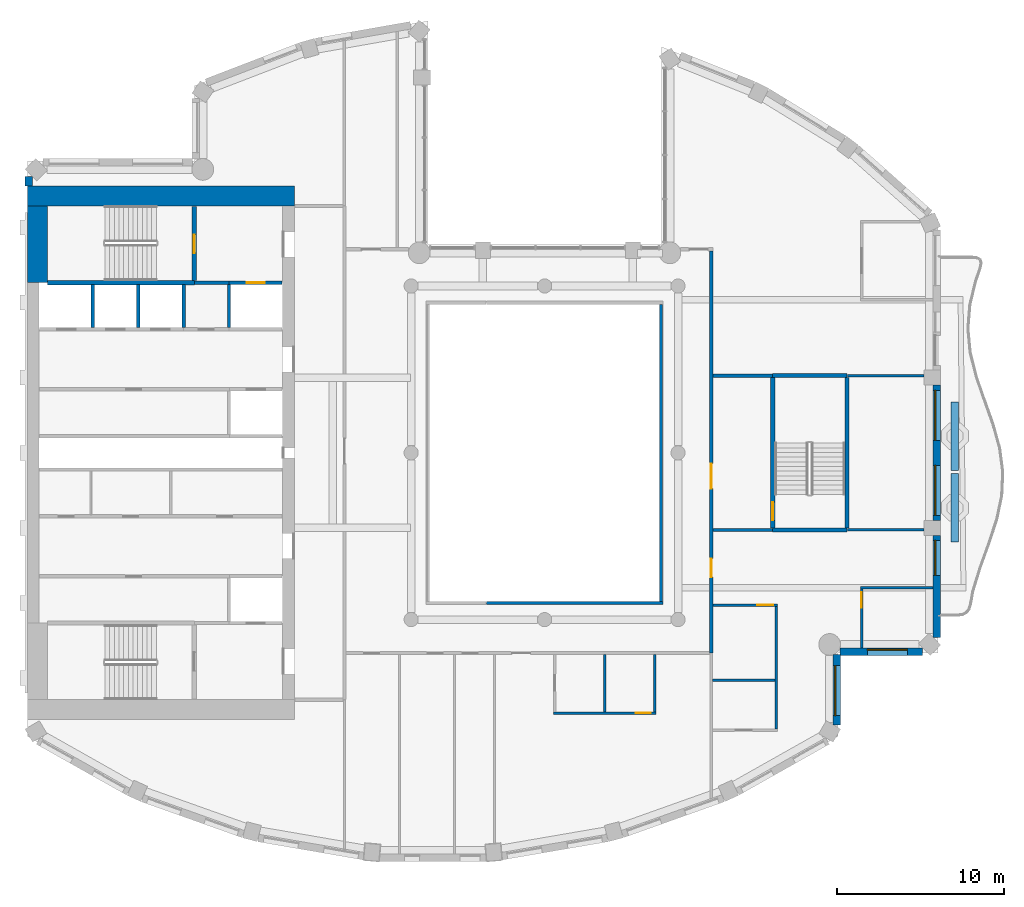
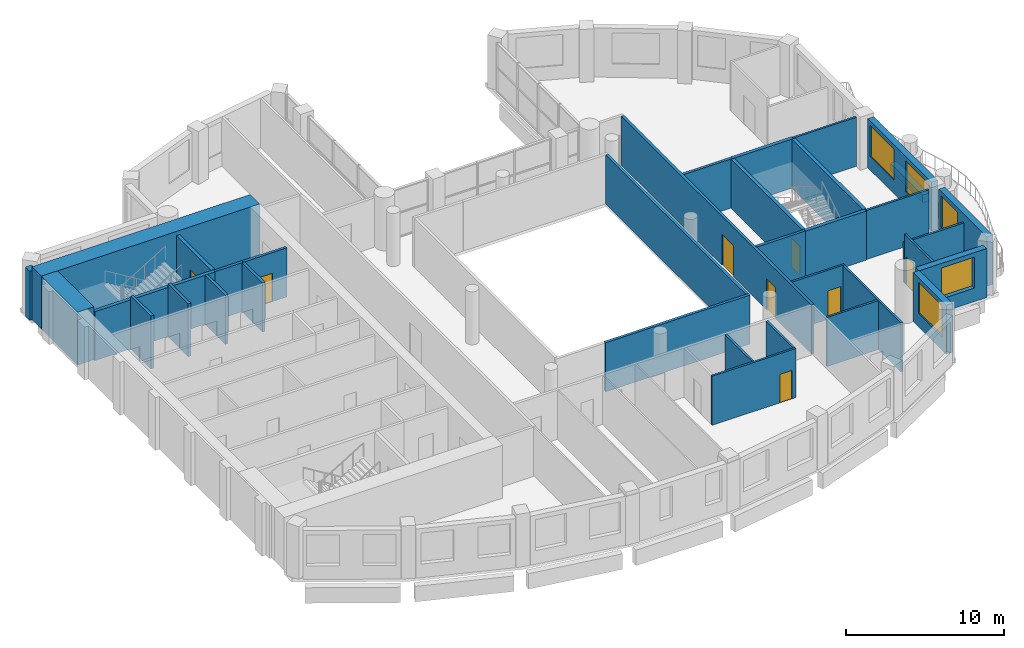
# One storey, part 6 of 14: 36 walls, 8 doors, 5 windows, 13 openings.
"""IFC4 building model written with IfcOpenShell, lengths in metres."""

import ifcopenshell
import ifcopenshell.guid

model = None  # the IFC model being written
_history = None  # IfcOwnerHistory: only IFC2X3 demands one
_inside = {}  # id of a spatial element -> (the spatial element, [elements in it])
_under = {}  # id of a project, library or spatial element -> (it, [spatial elements below it])
_declared = {}  # id of a project -> (the project, [libraries it declares])
_typed = {}  # id of a type object -> (the type object, [elements of that type])
_made_of = {}  # id of a material, layer set ... -> (it, [elements and type objects made of it])


def new_model(schema):
    """Start an empty IFC model of exactly this schema.

    Asked for "IFC4X3", IfcOpenShell would pick the latest addendum, in which some entities
    have other attributes; the version numbers below select the first issue.
    IFC2X3 requires an IfcOwnerHistory on every rooted entity: one is made here for all.
    """
    global model, _history
    if schema == "IFC4X3":
        model = ifcopenshell.file(schema_version=(4, 3, 0, 0))
    else:
        model = ifcopenshell.file(schema=schema)
    _inside.clear()
    _under.clear()
    _declared.clear()
    _typed.clear()
    _made_of.clear()
    _history = None
    if model.schema == "IFC2X3":
        org = make("IfcOrganization", Name="unknown")
        user = make(
            "IfcPersonAndOrganization",
            ThePerson=make("IfcPerson", FamilyName="unknown"),
            TheOrganization=org,
        )
        app = make(
            "IfcApplication",
            ApplicationDeveloper=org,
            Version="unknown",
            ApplicationFullName="unknown",
            ApplicationIdentifier="unknown",
        )
        _history = make(
            "IfcOwnerHistory",
            OwningUser=user,
            OwningApplication=app,
            ChangeAction="ADDED",
            CreationDate=0,
        )
    return model


def make(cls, **values):
    """One entity of the class cls with the attributes given. An attribute that is None is left unset."""
    return model.create_entity(
        cls, **{name: value for name, value in values.items() if value is not None}
    )


def rooted(cls, **values):
    """An entity with a GlobalId (a new one), such as an element, a storey or a relation."""
    return make(cls, GlobalId=ifcopenshell.guid.new(), OwnerHistory=_history, **values)


def si_unit(unit_type, name, prefix=None):
    """IfcSIUnit, for example si_unit("LENGTHUNIT", "METRE", prefix="MILLI")."""
    return make("IfcSIUnit", UnitType=unit_type, Prefix=prefix, Name=name)


def assignment(units):
    """IfcUnitAssignment: the units of a project."""
    return None if units is None else make("IfcUnitAssignment", Units=units)


def point(xyz):
    """IfcCartesianPoint."""
    return None if xyz is None else make("IfcCartesianPoint", Coordinates=xyz)


def direction(xyz):
    """IfcDirection."""
    return None if xyz is None else make("IfcDirection", DirectionRatios=xyz)


def frame(location, z_axis=None, x_axis=None):
    """IfcAxis2Placement3D, a coordinate frame: its origin and axes. An axis left out is left unset."""
    return make(
        "IfcAxis2Placement3D",
        Location=point(location),
        Axis=direction(z_axis),
        RefDirection=direction(x_axis),
    )


def frame_2d(location, x_axis=None):
    """IfcAxis2Placement2D, a coordinate frame in the plane: its origin and x axis."""
    return make(
        "IfcAxis2Placement2D", Location=point(location), RefDirection=direction(x_axis)
    )


def origin():
    """The frame at (0, 0, 0) with its axes left unset."""
    return frame((0.0, 0.0, 0.0))


def place(relative_to, where):
    """IfcLocalPlacement: puts the frame where relative to a parent placement (None: the world)."""
    return make(
        "IfcLocalPlacement", PlacementRelTo=relative_to, RelativePlacement=where
    )


def context(
    kind, dimensions, precision=None, world=None, true_north=None, identifier=None
):
    """IfcGeometricRepresentationContext, for example the 3D "Model" context."""
    return make(
        "IfcGeometricRepresentationContext",
        ContextIdentifier=identifier,
        ContextType=kind,
        CoordinateSpaceDimension=dimensions,
        Precision=precision,
        WorldCoordinateSystem=world,
        TrueNorth=true_north,
    )


def subcontext(parent, identifier, kind, view, scale=None):
    """IfcGeometricRepresentationSubContext, for example "Body" below "Model"."""
    return make(
        "IfcGeometricRepresentationSubContext",
        ContextIdentifier=identifier,
        ContextType=kind,
        ParentContext=parent,
        TargetScale=scale,
        TargetView=view,
    )


def project(units=None, contexts=None):
    """IfcProject with its units and contexts."""
    return rooted(
        "IfcProject",
        Name="project",
        RepresentationContexts=contexts,
        UnitsInContext=assignment(units),
    )


def spatial(cls, under=None, at=None, **own):
    """A site, building, storey or space (cls), placed at a placement, below another one or the project."""
    s = rooted(cls, ObjectPlacement=at, **own)
    if under is not None:
        _under.setdefault(under.id(), (under, []))[1].append(s)
    return s


def profile(cls, at=None, kind="AREA", **sizes):
    """A parametric profile (cls). Its sizes go by their IFC names, for example OverallWidth=200.0."""
    return make(cls, ProfileType=kind, Position=at, **sizes)


def rectangle(**sizes):
    """IfcRectangleProfileDef."""
    return profile("IfcRectangleProfileDef", **sizes)


def extrude(swept, where, along, depth):
    """IfcExtrudedAreaSolid: the profile swept, set in the frame where, extruded along a direction by depth."""
    return make(
        "IfcExtrudedAreaSolid",
        SweptArea=swept,
        Position=where,
        ExtrudedDirection=direction(along),
        Depth=depth,
    )


def shape(context_of_items, identifier, shape_type, items):
    """IfcShapeRepresentation: the items that make up one representation, for example the "Body"."""
    return make(
        "IfcShapeRepresentation",
        ContextOfItems=context_of_items,
        RepresentationIdentifier=identifier,
        RepresentationType=shape_type,
        Items=items,
    )


def material(Name=None, Category=None):
    """IfcMaterial."""
    return make("IfcMaterial", Name=Name, Category=Category)


def layer(
    of_material, thickness, ventilated=None, Name=None, Category=None, Priority=None
):
    """IfcMaterialLayer: one layer of a wall or slab, of a material (None: an air gap)."""
    return make(
        "IfcMaterialLayer",
        Material=of_material,
        LayerThickness=thickness,
        IsVentilated=ventilated,
        Name=Name,
        Category=Category,
        Priority=Priority,
    )


def layer_set(layers, Name=None):
    """IfcMaterialLayerSet."""
    return make("IfcMaterialLayerSet", MaterialLayers=layers, LayerSetName=Name)


def made_of(thing, what):
    """Note that an element or type object is made of a material, layer set ...; save() writes the relation."""
    if what is not None:
        _made_of.setdefault(what.id(), (what, []))[1].append(thing)
    return thing


def type_object(cls, material=None, **own):
    """A type object (cls), such as IfcWallType, which elements share."""
    return made_of(rooted(cls, **own), material)


def element(
    cls,
    number,
    at=None,
    inside=None,
    cuts=None,
    type_object=None,
    material=None,
    context=None,
    identifier="Body",
    shape_type=None,
    held_by="IfcProductDefinitionShape",
    body=None,
    shapes=None,
    **own,
):
    """One element of the class cls, such as IfcWall. Its Tag is "e" and its number.

    at: its placement. inside: the storey or other place that contains it. cuts: it is an
    opening in that element (IfcRelVoidsElement). A single representation is given by context,
    identifier, shape_type and body (its items); several are given by shapes. held_by: the class
    of the entity that holds the representations. save() writes the other relations.
    """
    e = rooted(cls, Tag="e%d" % number, ObjectPlacement=at, **own)
    if body is not None:
        shapes = [shape(context, identifier, shape_type, body)]
    if shapes is not None:
        e.Representation = make(held_by, Representations=shapes)
    if inside is not None:
        _inside.setdefault(inside.id(), (inside, []))[1].append(e)
    if cuts is not None:
        rooted(
            "IfcRelVoidsElement", RelatingBuildingElement=cuts, RelatedOpeningElement=e
        )
    if type_object is not None:
        _typed.setdefault(type_object.id(), (type_object, []))[1].append(e)
    return made_of(e, material)


def fill(opening, filler):
    """IfcRelFillsElement: the door or window that sits in an opening."""
    return rooted(
        "IfcRelFillsElement",
        RelatingOpeningElement=opening,
        RelatedBuildingElement=filler,
    )


def aggregate(whole, parts):
    """IfcRelAggregates: a whole, such as a stair, and the parts it consists of."""
    return rooted("IfcRelAggregates", RelatingObject=whole, RelatedObjects=parts)


def save(model, path):
    """Write the relations noted so far, then the file.

    IfcRelAggregates (storeys below a building ...), IfcRelContainedInSpatialStructure (elements
    in a storey), IfcRelDefinesByType, IfcRelAssociatesMaterial and IfcRelDeclares: one each for
    every whole, place, type object, material and project.
    """
    for whole, parts in _under.values():
        aggregate(whole, parts)
    for where, things in _inside.values():
        rooted(
            "IfcRelContainedInSpatialStructure",
            RelatedElements=things,
            RelatingStructure=where,
        )
    for kind, things in _typed.values():
        rooted("IfcRelDefinesByType", RelatedObjects=things, RelatingType=kind)
    for what, things in _made_of.values():
        rooted("IfcRelAssociatesMaterial", RelatedObjects=things, RelatingMaterial=what)
    for by, libraries in _declared.values():
        rooted("IfcRelDeclares", RelatingContext=by, RelatedDefinitions=libraries)
    model.write(path)


model = new_model("IFC4")

# Units and contexts
model_context = context("Model", 3, precision=1e-05, world=origin(), true_north=direction((0.0, 1.0)))
body_context = subcontext(model_context, "Body", "Model", "MODEL_VIEW")
ifc_project = project(units=[si_unit("LENGTHUNIT", "METRE"), si_unit("AREAUNIT", "SQUARE_METRE"), si_unit("VOLUMEUNIT", "CUBIC_METRE"), si_unit("PLANEANGLEUNIT", "RADIAN"), si_unit("MASSUNIT", "GRAM", prefix="KILO")], contexts=[model_context])

# Site, building, storey
site_placement = place(None, origin())
site = spatial("IfcSite", under=ifc_project, at=site_placement, CompositionType="ELEMENT")
building_placement = place(site_placement, origin())
building = spatial("IfcBuilding", under=site, at=building_placement, Name="Cypress Arch Tower", CompositionType="ELEMENT")
storey_placement = place(building_placement, frame((0.0, 0.0, 284.39990234375)))
storey = spatial("IfcBuildingStorey", under=building, at=storey_placement, Name="L64", CompositionType="ELEMENT", Elevation=284.39990234375)

# Walls
ifc_material_1 = material(Name="Concrete C40/50, waterproofed", Category="concrete")
ifc_layer_1 = layer(ifc_material_1, 0.449951171875)
ifc_layer_set_1 = layer_set([ifc_layer_1], Name="Balcony planter wall PW450")
wall_type_1 = type_object("IfcWallType", Name="Balcony planter wall PW450", PredefinedType="SOLIDWALL", material=ifc_layer_set_1)
for number, where, z_axis, x_axis, name in (
    (1, (25.60009765625, -5.35009765625, 0.0), (0.0, 0.0, 1.0), (0.0, 1.0, 0.0), "Balcony planter wall L64-C17.1"),
    (2, (25.60009765625, -1.050048828125, 0.0), (0.0, 0.0, 1.0), (0.0, 1.0, 0.0), "Balcony planter wall L64-C17.2"),
):
    element("IfcWall", number, at=place(storey_placement, frame(where, z_axis=z_axis, x_axis=x_axis)), inside=storey, type_object=wall_type_1, Name=name, PredefinedType="SOLIDWALL", context=body_context, shape_type="SweptSolid", body=[
        extrude(rectangle(XDim=4.10009765625, YDim=0.449951171875, at=frame_2d((2.050048828125, 0.0))), origin(), (0.0, 0.0, 1.0), 0.60009765625),
    ])
ifc_material_2 = material(Name="Brick (red buff blend)", Category="masonry")
ifc_layer_2 = layer(ifc_material_2, 0.449951171875)
ifc_layer_set_2 = layer_set([ifc_layer_2], Name="Brick pier and spandrel wall BW450")
wall_type_2 = type_object("IfcWallType", Name="Brick pier and spandrel wall BW450", PredefinedType="SOLIDWALL", material=ifc_layer_set_2)
wall_1_placement = place(storey_placement, frame((-29.925048828125, 16.563720703125, 0.0), z_axis=(0.0, 0.0, 1.0), x_axis=(0.0, -1.0, 0.0)))
element("IfcWall", 3, at=wall_1_placement, inside=storey, type_object=wall_type_2, Name="Brick wall L64 C07.0", PredefinedType="SOLIDWALL", context=body_context, shape_type="SweptSolid", body=[
    extrude(rectangle(XDim=0.563720703125, YDim=0.449951171875, at=frame_2d((0.28173828125, 0.0))), origin(), (0.0, 0.0, 1.0), 3.800048828125),
])

# Wall, opening, window
wall_2_placement = place(storey_placement, frame((18.52490234375, -16.3037109375, 0.0), z_axis=(0.0, 0.0, 1.0), x_axis=(0.0, 1.0, 0.0)))
wall_2 = element("IfcWall", 4, at=wall_2_placement, inside=storey, type_object=wall_type_2, Name="Brick wall L64 C15.0", PredefinedType="SOLIDWALL", context=body_context, shape_type="SweptSolid", body=[
    extrude(rectangle(XDim=4.2021484375, YDim=0.449951171875, at=frame_2d((2.10107421875, 0.0))), origin(), (0.0, 0.0, 1.0), 3.800048828125),
])
opening_1_placement = place(wall_2_placement, frame((0.541259765625, 0.0, 1.050048828125)))
opening_1 = element("IfcOpeningElement", 5, at=opening_1_placement, cuts=wall_2, Name="Opening W300O", PredefinedType="OPENING", context=body_context, shape_type="SweptSolid", body=[
    extrude(rectangle(XDim=3.0, YDim=2.39990234375, at=frame_2d((1.5, 1.199951171875))), frame((0.0, 0.23486328125, 0.0), z_axis=(0.0, -1.0, 0.0), x_axis=(1.0, 0.0, 0.0)), (0.0, 0.0, 1.0), 0.469970703125),
])
ifc_material_3 = material(Name="Anodised aluminium, bronze finish, clear low-emissivity double glazing", Category="aluminium")
window_type_1 = type_object("IfcWindowType", Name="Window Office 3000x2400", PartitioningType="SINGLE_PANEL", PredefinedType="WINDOW", material=ifc_material_3)
window_1_placement = place(opening_1_placement, origin())
window_1 = element("IfcWindow", 6, at=window_1_placement, inside=storey, type_object=window_type_1, Name="Window L64 C15.0.1", OverallHeight=2.39990234375, OverallWidth=3.0, PartitioningType="SINGLE_PANEL", PredefinedType="WINDOW", context=body_context, shape_type="SweptSolid", body=[
    extrude(rectangle(XDim=3.0, YDim=2.39990234375, at=frame_2d((1.5, 1.199951171875))), frame((0.0, 0.135009765625, 0.0), z_axis=(0.0, -1.0, 0.0), x_axis=(1.0, 0.0, 0.0)), (0.0, 0.0, 1.0), 0.06005859375),
])
fill(opening_1, window_1)

wall_3_placement = place(storey_placement, frame((18.701416015625, -11.925048828125, 0.0), z_axis=(0.0, 0.0, 1.0), x_axis=(1.0, 0.0, 0.0)))
wall_3 = element("IfcWall", 7, at=wall_3_placement, inside=storey, type_object=wall_type_2, Name="Brick wall L64 C16.0", PredefinedType="SOLIDWALL", context=body_context, shape_type="SweptSolid", body=[
    extrude(rectangle(XDim=4.962158203125, YDim=0.449951171875, at=frame_2d((2.48095703125, 0.0))), origin(), (0.0, 0.0, 1.0), 3.800048828125),
])
opening_2_placement = place(wall_3_placement, frame((1.6484375, 0.0, 1.050048828125)))
opening_2 = element("IfcOpeningElement", 8, at=opening_2_placement, cuts=wall_3, Name="Opening W240O", PredefinedType="OPENING", context=body_context, shape_type="SweptSolid", body=[
    extrude(rectangle(XDim=2.39990234375, YDim=2.39990234375, at=frame_2d((1.199951171875, 1.199951171875))), frame((0.0, 0.23486328125, 0.0), z_axis=(0.0, -1.0, 0.0), x_axis=(1.0, 0.0, 0.0)), (0.0, 0.0, 1.0), 0.469970703125),
])
ifc_material_4 = material(Name="Anodised aluminium, bronze finish, clear low-emissivity double glazing", Category="aluminium")
window_type_2 = type_object("IfcWindowType", Name="Window Office 2400x2400", PartitioningType="SINGLE_PANEL", PredefinedType="WINDOW", material=ifc_material_4)
window_2_placement = place(opening_2_placement, origin())
window_2 = element("IfcWindow", 9, at=window_2_placement, inside=storey, type_object=window_type_2, Name="Window L64 C16.0.1", OverallHeight=2.39990234375, OverallWidth=2.39990234375, PartitioningType="SINGLE_PANEL", PredefinedType="WINDOW", context=body_context, shape_type="SweptSolid", body=[
    extrude(rectangle(XDim=2.39990234375, YDim=2.39990234375, at=frame_2d((1.199951171875, 1.199951171875))), frame((0.0, 0.135009765625, 0.0), z_axis=(0.0, -1.0, 0.0), x_axis=(1.0, 0.0, 0.0)), (0.0, 0.0, 1.0), 0.06005859375),
])
fill(opening_2, window_2)

wall_4_placement = place(storey_placement, frame((24.52490234375, -11.063720703125, 0.0), z_axis=(0.0, 0.0, 1.0), x_axis=(0.0, 1.0, 0.0)))
wall_4 = element("IfcWall", 10, at=wall_4_placement, inside=storey, type_object=wall_type_2, Name="Brick wall L64 C17.0", PredefinedType="SOLIDWALL", context=body_context, shape_type="SweptSolid", body=[
    extrude(rectangle(XDim=6.11376953125, YDim=0.449951171875, at=frame_2d((3.056884765625, 0.0))), origin(), (0.0, 0.0, 1.0), 3.800048828125),
])
opening_3_placement = place(wall_4_placement, frame((3.713623046875, 0.0, 1.050048828125)))
opening_3 = element("IfcOpeningElement", 11, at=opening_3_placement, cuts=wall_4, Name="Opening W210OD", PredefinedType="OPENING", context=body_context, shape_type="SweptSolid", body=[
    extrude(rectangle(XDim=2.10009765625, YDim=2.39990234375, at=frame_2d((1.050048828125, 1.199951171875))), frame((0.0, 0.23486328125, 0.0), z_axis=(0.0, -1.0, 0.0), x_axis=(1.0, 0.0, 0.0)), (0.0, 0.0, 1.0), 0.469970703125),
])
ifc_material_5 = material(Name="Anodised aluminium, bronze finish, laminated low-emissivity double glazing, large-missile impact rated", Category="aluminium")
window_type_3 = type_object("IfcWindowType", Name="Window Office 2100x2400 debris-rated", PartitioningType="SINGLE_PANEL", PredefinedType="WINDOW", material=ifc_material_5)
window_3_placement = place(opening_3_placement, origin())
window_3 = element("IfcWindow", 12, at=window_3_placement, inside=storey, type_object=window_type_3, Name="Window L64 C17.0.2", OverallHeight=2.39990234375, OverallWidth=2.10009765625, PartitioningType="SINGLE_PANEL", PredefinedType="WINDOW", context=body_context, shape_type="SweptSolid", body=[
    extrude(rectangle(XDim=2.10009765625, YDim=2.39990234375, at=frame_2d((1.050048828125, 1.199951171875))), frame((0.0, 0.135009765625, 0.0), z_axis=(0.0, -1.0, 0.0), x_axis=(1.0, 0.0, 0.0)), (0.0, 0.0, 1.0), 0.06005859375),
])
fill(opening_3, window_3)

# Wall, openings, windows
wall_5_placement = place(storey_placement, frame((24.52490234375, -4.050048828125, 0.0), z_axis=(0.0, 0.0, 1.0), x_axis=(0.0, 1.0, 0.0)))
wall_5 = element("IfcWall", 13, at=wall_5_placement, inside=storey, type_object=wall_type_2, Name="Brick wall L64 C17.1", PredefinedType="SOLIDWALL", context=body_context, shape_type="SweptSolid", body=[
    extrude(rectangle(XDim=8.10009765625, YDim=0.449951171875, at=frame_2d((4.050048828125, 0.0))), origin(), (0.0, 0.0, 1.0), 3.800048828125),
])
opening_4_placement = place(wall_5_placement, frame((0.300048828125, 0.0, 1.050048828125)))
opening_4 = element("IfcOpeningElement", 14, at=opening_4_placement, cuts=wall_5, Name="Opening W300OD", PredefinedType="OPENING", context=body_context, shape_type="SweptSolid", body=[
    extrude(rectangle(XDim=3.0, YDim=2.39990234375, at=frame_2d((1.5, 1.199951171875))), frame((0.0, 0.23486328125, 0.0), z_axis=(0.0, -1.0, 0.0), x_axis=(1.0, 0.0, 0.0)), (0.0, 0.0, 1.0), 0.469970703125),
])
opening_5_placement = place(wall_5_placement, frame((4.800048828125, 0.0, 1.050048828125)))
opening_5 = element("IfcOpeningElement", 15, at=opening_5_placement, cuts=wall_5, Name="Opening W300OD", PredefinedType="OPENING", context=body_context, shape_type="SweptSolid", body=[
    extrude(rectangle(XDim=3.0, YDim=2.39990234375, at=frame_2d((1.5, 1.199951171875))), frame((0.0, 0.23486328125, 0.0), z_axis=(0.0, -1.0, 0.0), x_axis=(1.0, 0.0, 0.0)), (0.0, 0.0, 1.0), 0.469970703125),
])
ifc_material_6 = material(Name="Anodised aluminium, bronze finish, laminated low-emissivity double glazing, large-missile impact rated", Category="aluminium")
window_type_4 = type_object("IfcWindowType", Name="Window Office 3000x2400 debris-rated", PartitioningType="SINGLE_PANEL", PredefinedType="WINDOW", material=ifc_material_6)
window_4_placement = place(opening_4_placement, origin())
window_4 = element("IfcWindow", 16, at=window_4_placement, inside=storey, type_object=window_type_4, Name="Window L64 C17.1.1", OverallHeight=2.39990234375, OverallWidth=3.0, PartitioningType="SINGLE_PANEL", PredefinedType="WINDOW", context=body_context, shape_type="SweptSolid", body=[
    extrude(rectangle(XDim=3.0, YDim=2.39990234375, at=frame_2d((1.5, 1.199951171875))), frame((0.0, 0.135009765625, 0.0), z_axis=(0.0, -1.0, 0.0), x_axis=(1.0, 0.0, 0.0)), (0.0, 0.0, 1.0), 0.06005859375),
])
fill(opening_4, window_4)
window_5_placement = place(opening_5_placement, origin())
window_5 = element("IfcWindow", 17, at=window_5_placement, inside=storey, type_object=window_type_4, Name="Window L64 C17.1.2", OverallHeight=2.39990234375, OverallWidth=3.0, PartitioningType="SINGLE_PANEL", PredefinedType="WINDOW", context=body_context, shape_type="SweptSolid", body=[
    extrude(rectangle(XDim=3.0, YDim=2.39990234375, at=frame_2d((1.5, 1.199951171875))), frame((0.0, 0.135009765625, 0.0), z_axis=(0.0, -1.0, 0.0), x_axis=(1.0, 0.0, 0.0)), (0.0, 0.0, 1.0), 0.06005859375),
])
fill(opening_5, window_5)

# Walls
ifc_material_7 = material(Name="Concrete C60/75", Category="concrete")
ifc_layer_3 = layer(ifc_material_7, 1.199951171875)
ifc_layer_set_3 = layer_set([ifc_layer_3], Name="Core wall CW1200 C60/75")
wall_type_3 = type_object("IfcWallType", Name="Core wall CW1200 C60/75", PredefinedType="SHEAR", material=ifc_layer_set_3)
wall_6_placement = place(storey_placement, frame((-30.0, 15.39990234375, 0.0), z_axis=(0.0, 0.0, 1.0), x_axis=(1.0, 0.0, 0.0)))
element("IfcWall", 18, at=wall_6_placement, inside=storey, type_object=wall_type_3, Name="Core wall", PredefinedType="SHEAR", context=body_context, shape_type="SweptSolid", body=[
    extrude(rectangle(XDim=16.0, YDim=1.199951171875, at=frame_2d((8.0, 0.0))), origin(), (0.0, 0.0, 1.0), 4.10009765625),
])
wall_7_placement = place(storey_placement, frame((-29.39990234375, 10.199951171875, 0.0), z_axis=(0.0, 0.0, 1.0), x_axis=(0.0, 1.0, 0.0)))
element("IfcWall", 19, at=wall_7_placement, inside=storey, type_object=wall_type_3, Name="Core wall", PredefinedType="SHEAR", context=body_context, shape_type="SweptSolid", body=[
    extrude(rectangle(XDim=4.60009765625, YDim=1.199951171875, at=frame_2d((2.300048828125, 0.0))), origin(), (0.0, 0.0, 1.0), 4.10009765625),
])
ifc_material_8 = material(Name="Concrete blockwork, plastered, rated", Category="masonry")
ifc_layer_4 = layer(ifc_material_8, 0.199951171875)
ifc_layer_set_4 = layer_set([ifc_layer_4], Name="Corridor wall FW200")
wall_type_4 = type_object("IfcWallType", Name="Corridor wall FW200", PredefinedType="PARTITIONING", material=ifc_layer_set_4)
wall_8_placement = place(storey_placement, frame((-20.0, 10.199951171875, 0.0), z_axis=(0.0, 0.0, 1.0), x_axis=(1.0, 0.0, 0.0)))
element("IfcWall", 20, at=wall_8_placement, inside=storey, type_object=wall_type_4, Name="Corridor wall", PredefinedType="PARTITIONING", context=body_context, shape_type="SweptSolid", body=[
    extrude(rectangle(XDim=2.080078125, YDim=0.199951171875, at=frame_2d((1.0400390625, 0.0))), origin(), (0.0, 0.0, 1.0), 3.800048828125),
])
wall_9_placement = place(storey_placement, frame((-2.47998046875, -9.0, 0.0), z_axis=(0.0, 0.0, 1.0), x_axis=(1.0, 0.0, 0.0)))
element("IfcWall", 21, at=wall_9_placement, inside=storey, type_object=wall_type_4, Name="Corridor wall", PredefinedType="PARTITIONING", context=body_context, shape_type="SweptSolid", body=[
    extrude(rectangle(XDim=10.580078125, YDim=0.199951171875, at=frame_2d((5.2900390625, 0.0))), origin(), (0.0, 0.0, 1.0), 3.800048828125),
])
wall_10_placement = place(storey_placement, frame((8.0, -8.89990234375, 0.0), z_axis=(0.0, 0.0, 1.0), x_axis=(0.0, 1.0, 0.0)))
element("IfcWall", 22, at=wall_10_placement, inside=storey, type_object=wall_type_4, Name="Corridor wall", PredefinedType="PARTITIONING", context=body_context, shape_type="SweptSolid", body=[
    extrude(rectangle(XDim=17.7998046875, YDim=0.199951171875, at=frame_2d((8.89990234375, 0.0))), origin(), (0.0, 0.0, 1.0), 3.800048828125),
])

# Wall, openings, doors
wall_11_placement = place(storey_placement, frame((11.0, -12.0, 0.0), z_axis=(0.0, 0.0, 1.0), x_axis=(0.0, 1.0, 0.0)))
wall_11 = element("IfcWall", 23, at=wall_11_placement, inside=storey, type_object=wall_type_4, Name="Corridor wall", PredefinedType="PARTITIONING", context=body_context, shape_type="SweptSolid", body=[
    extrude(rectangle(XDim=24.10009765625, YDim=0.199951171875, at=frame_2d((12.050048828125, 0.0))), origin(), (0.0, 0.0, 1.0), 3.800048828125),
])
opening_6_placement = place(wall_11_placement, frame((9.85009765625, 0.0, 0.0)))
opening_6 = element("IfcOpeningElement", 24, at=opening_6_placement, cuts=wall_11, Name="Opening D07", PredefinedType="OPENING", context=body_context, shape_type="SweptSolid", body=[
    extrude(rectangle(XDim=1.5, YDim=2.39990234375, at=frame_2d((0.75, 1.199951171875))), frame((0.0, 0.10986328125, 0.0), z_axis=(0.0, -1.0, 0.0), x_axis=(1.0, 0.0, 0.0)), (0.0, 0.0, 1.0), 0.219970703125),
])
opening_7_placement = place(wall_11_placement, frame((4.550048828125, 0.0, 0.0)))
opening_7 = element("IfcOpeningElement", 25, at=opening_7_placement, cuts=wall_11, Name="Opening D01", PredefinedType="OPENING", context=body_context, shape_type="SweptSolid", body=[
    extrude(rectangle(XDim=1.10009765625, YDim=2.39990234375, at=frame_2d((0.550048828125, 1.199951171875))), frame((0.0, 0.10986328125, 0.0), z_axis=(0.0, -1.0, 0.0), x_axis=(1.0, 0.0, 0.0)), (0.0, 0.0, 1.0), 0.219970703125),
])
ifc_material_9 = material(Name="Steel framed glazed door, fire resisting", Category="steel")
door_type_1 = type_object("IfcDoorType", Name="Lobby door D07 1500x2400", OperationType="DOUBLE_DOOR_SINGLE_SWING", PredefinedType="DOOR", material=ifc_material_9)
door_1_placement = place(opening_6_placement, origin())
door_1 = element("IfcDoor", 26, at=door_1_placement, inside=storey, type_object=door_type_1, Name="Lobby door", OperationType="DOUBLE_DOOR_SINGLE_SWING", OverallHeight=2.39990234375, OverallWidth=1.5, PredefinedType="DOOR", context=body_context, shape_type="SweptSolid", body=[
    extrude(rectangle(XDim=1.5, YDim=2.39990234375, at=frame_2d((0.75, 1.199951171875))), frame((0.0, 0.02490234375, 0.0), z_axis=(0.0, -1.0, 0.0), x_axis=(1.0, 0.0, 0.0)), (0.0, 0.0, 1.0), 0.050048828125),
])
fill(opening_6, door_1)
ifc_material_10 = material(Name="Timber flush door, fire resisting, self-closing", Category="wood")
door_type_2 = type_object("IfcDoorType", Name="Unit entrance door D01 1100x2400", OperationType="SINGLE_SWING_LEFT", PredefinedType="DOOR", material=ifc_material_10)
door_2_placement = place(opening_7_placement, origin())
door_2 = element("IfcDoor", 27, at=door_2_placement, inside=storey, type_object=door_type_2, Name="Unit entrance door", OperationType="SINGLE_SWING_RIGHT", OverallHeight=2.39990234375, OverallWidth=1.10009765625, PredefinedType="DOOR", context=body_context, shape_type="SweptSolid", body=[
    extrude(rectangle(XDim=1.10009765625, YDim=2.39990234375, at=frame_2d((0.550048828125, 1.199951171875))), frame((0.0, 0.02490234375, 0.0), z_axis=(0.0, -1.0, 0.0), x_axis=(1.0, 0.0, 0.0)), (0.0, 0.0, 1.0), 0.050048828125),
])
fill(opening_7, door_2)

# Walls
for number, where, z_axis, x_axis, name in (
    (28, (11.10009765625, -4.625, 0.0), (0.0, 0.0, 1.0), (1.0, 0.0, 0.0), "Corridor wall"),
    (29, (11.10009765625, 4.625, 0.0), (0.0, 0.0, 1.0), (1.0, 0.0, 0.0), "Corridor wall"),
):
    element("IfcWall", number, at=place(storey_placement, frame(where, z_axis=z_axis, x_axis=x_axis)), inside=storey, type_object=wall_type_4, Name=name, PredefinedType="PARTITIONING", context=body_context, shape_type="SweptSolid", body=[
        extrude(rectangle(XDim=3.574951171875, YDim=0.199951171875, at=frame_2d((1.78759765625, 0.0))), origin(), (0.0, 0.0, 1.0), 3.800048828125),
    ])

# Wall, opening, door
ifc_material_11 = material(Name="Blockwork, plastered both sides", Category="masonry")
ifc_layer_5 = layer(ifc_material_11, 0.14990234375)
ifc_layer_set_5 = layer_set([ifc_layer_5], Name="Partition PW150")
wall_type_5 = type_object("IfcWallType", Name="Partition PW150", PredefinedType="PARTITIONING", material=ifc_layer_set_5)
wall_12_placement = place(storey_placement, frame((1.52587890625, -15.60009765625, 0.0), z_axis=(0.0, 0.0, 1.0), x_axis=(1.0, 0.0, 0.0)))
wall_12 = element("IfcWall", 30, at=wall_12_placement, inside=storey, type_object=wall_type_5, Name="Partition", PredefinedType="PARTITIONING", context=body_context, shape_type="SweptSolid", body=[
    extrude(rectangle(XDim=6.150146484375, YDim=0.14990234375, at=frame_2d((3.0751953125, 0.0))), origin(), (0.0, 0.0, 1.0), 3.800048828125),
])
opening_8_placement = place(wall_12_placement, frame((4.949951171875, 0.0, 0.0)))
opening_8 = element("IfcOpeningElement", 31, at=opening_8_placement, cuts=wall_12, Name="Opening D05", PredefinedType="OPENING", context=body_context, shape_type="SweptSolid", body=[
    extrude(rectangle(XDim=0.89990234375, YDim=2.199951171875, at=frame_2d((0.449951171875, 1.10009765625))), frame((0.0, 0.0849609375, 0.0), z_axis=(0.0, -1.0, 0.0), x_axis=(1.0, 0.0, 0.0)), (0.0, 0.0, 1.0), 0.169921875),
])
ifc_material_12 = material(Name="Timber flush door", Category="wood")
door_type_3 = type_object("IfcDoorType", Name="Service door D05 900x2200", OperationType="SINGLE_SWING_LEFT", PredefinedType="DOOR", material=ifc_material_12)
door_3_placement = place(opening_8_placement, origin())
door_3 = element("IfcDoor", 32, at=door_3_placement, inside=storey, type_object=door_type_3, Name="Service door", OperationType="SINGLE_SWING_RIGHT", OverallHeight=2.199951171875, OverallWidth=0.89990234375, PredefinedType="DOOR", context=body_context, shape_type="SweptSolid", body=[
    extrude(rectangle(XDim=0.89990234375, YDim=2.199951171875, at=frame_2d((0.449951171875, 1.10009765625))), frame((0.0, 0.02490234375, 0.0), z_axis=(0.0, -1.0, 0.0), x_axis=(1.0, 0.0, 0.0)), (0.0, 0.0, 1.0), 0.050048828125),
])
fill(opening_8, door_3)

# Walls
for number, where, z_axis, x_axis, name in (
    (33, (4.60107421875, -15.52490234375, 0.0), (0.0, 0.0, 1.0), (0.0, 1.0, 0.0), "Partition"),
    (34, (7.60107421875, -15.52490234375, 0.0), (0.0, 0.0, 1.0), (0.0, 1.0, 0.0), "Partition"),
):
    element("IfcWall", number, at=place(storey_placement, frame(where, z_axis=z_axis, x_axis=x_axis)), inside=storey, type_object=wall_type_5, Name=name, PredefinedType="PARTITIONING", context=body_context, shape_type="SweptSolid", body=[
        extrude(rectangle(XDim=3.4248046875, YDim=0.14990234375, at=frame_2d((1.71240234375, 0.0))), origin(), (0.0, 0.0, 1.0), 3.800048828125),
    ])
wall_13_placement = place(storey_placement, frame((11.074951171875, -13.625, 0.0), z_axis=(0.0, 0.0, 1.0), x_axis=(1.0, 0.0, 0.0)))
element("IfcWall", 35, at=wall_13_placement, inside=storey, type_object=wall_type_5, Name="Partition", PredefinedType="PARTITIONING", context=body_context, shape_type="SweptSolid", body=[
    extrude(rectangle(XDim=3.75, YDim=0.14990234375, at=frame_2d((1.875, 0.0))), origin(), (0.0, 0.0, 1.0), 3.800048828125),
])

# Wall, opening, door
wall_14_placement = place(storey_placement, frame((11.10009765625, -9.125, 0.0), z_axis=(0.0, 0.0, 1.0), x_axis=(1.0, 0.0, 0.0)))
wall_14 = element("IfcWall", 36, at=wall_14_placement, inside=storey, type_object=wall_type_5, Name="Partition", PredefinedType="PARTITIONING", context=body_context, shape_type="SweptSolid", body=[
    extrude(rectangle(XDim=3.875, YDim=0.14990234375, at=frame_2d((1.9375, 0.0))), origin(), (0.0, 0.0, 1.0), 3.800048828125),
])
opening_9_placement = place(wall_14_placement, frame((2.64990234375, 0.0, 0.0)))
opening_9 = element("IfcOpeningElement", 37, at=opening_9_placement, cuts=wall_14, Name="Opening D12", PredefinedType="OPENING", context=body_context, shape_type="SweptSolid", body=[
    extrude(rectangle(XDim=0.949951171875, YDim=2.199951171875, at=frame_2d((0.47509765625, 1.10009765625))), frame((0.0, 0.0849609375, 0.0), z_axis=(0.0, -1.0, 0.0), x_axis=(1.0, 0.0, 0.0)), (0.0, 0.0, 1.0), 0.169921875),
])
ifc_material_13 = material(Name="Timber flush door", Category="wood")
door_type_4 = type_object("IfcDoorType", Name="Room door D12 950x2200", OperationType="SINGLE_SWING_LEFT", PredefinedType="DOOR", material=ifc_material_13)
door_4_placement = place(opening_9_placement, origin())
door_4 = element("IfcDoor", 38, at=door_4_placement, inside=storey, type_object=door_type_4, Name="Room door", OperationType="SINGLE_SWING_LEFT", OverallHeight=2.199951171875, OverallWidth=0.949951171875, PredefinedType="DOOR", context=body_context, shape_type="SweptSolid", body=[
    extrude(rectangle(XDim=0.949951171875, YDim=2.199951171875, at=frame_2d((0.47509765625, 1.10009765625))), frame((0.0, 0.02490234375, 0.0), z_axis=(0.0, -1.0, 0.0), x_axis=(1.0, 0.0, 0.0)), (0.0, 0.0, 1.0), 0.050048828125),
])
fill(opening_9, door_4)

# Walls
wall_15_placement = place(storey_placement, frame((14.89990234375, -16.550048828125, 0.0), z_axis=(0.0, 0.0, 1.0), x_axis=(0.0, 1.0, 0.0)))
element("IfcWall", 39, at=wall_15_placement, inside=storey, type_object=wall_type_5, Name="Partition", PredefinedType="PARTITIONING", context=body_context, shape_type="SweptSolid", body=[
    extrude(rectangle(XDim=7.35009765625, YDim=0.14990234375, at=frame_2d((3.675048828125, 0.0))), origin(), (0.0, 0.0, 1.0), 3.800048828125),
])
for number, where, z_axis, x_axis, name in (
    (40, (19.14501953125, -4.625, 0.0), (0.0, 0.0, 1.0), (1.0, 0.0, 0.0), "Partition"),
    (41, (19.14501953125, 4.625, 0.0), (0.0, 0.0, 1.0), (1.0, 0.0, 0.0), "Partition"),
):
    element("IfcWall", number, at=place(storey_placement, frame(where, z_axis=z_axis, x_axis=x_axis)), inside=storey, type_object=wall_type_5, Name=name, PredefinedType="PARTITIONING", context=body_context, shape_type="SweptSolid", body=[
        extrude(rectangle(XDim=4.60498046875, YDim=0.14990234375, at=frame_2d((2.302490234375, 0.0))), origin(), (0.0, 0.0, 1.0), 3.800048828125),
    ])

# Wall, opening, door
wall_16_placement = place(storey_placement, frame((20.0, -11.699951171875, 0.0), z_axis=(0.0, 0.0, 1.0), x_axis=(0.0, 1.0, 0.0)))
wall_16 = element("IfcWall", 42, at=wall_16_placement, inside=storey, type_object=wall_type_5, Name="Partition", PredefinedType="PARTITIONING", context=body_context, shape_type="SweptSolid", body=[
    extrude(rectangle(XDim=3.52490234375, YDim=0.14990234375, at=frame_2d((1.762451171875, 0.0))), origin(), (0.0, 0.0, 1.0), 3.800048828125),
])
opening_10_placement = place(wall_16_placement, frame((2.39990234375, 0.0, 0.0)))
opening_10 = element("IfcOpeningElement", 43, at=opening_10_placement, cuts=wall_16, Name="Opening D12", PredefinedType="OPENING", context=body_context, shape_type="SweptSolid", body=[
    extrude(rectangle(XDim=0.949951171875, YDim=2.199951171875, at=frame_2d((0.47509765625, 1.10009765625))), frame((0.0, 0.0849609375, 0.0), z_axis=(0.0, -1.0, 0.0), x_axis=(1.0, 0.0, 0.0)), (0.0, 0.0, 1.0), 0.169921875),
])
door_5_placement = place(opening_10_placement, origin())
door_5 = element("IfcDoor", 44, at=door_5_placement, inside=storey, type_object=door_type_4, Name="Room door", OperationType="SINGLE_SWING_RIGHT", OverallHeight=2.199951171875, OverallWidth=0.949951171875, PredefinedType="DOOR", context=body_context, shape_type="SweptSolid", body=[
    extrude(rectangle(XDim=0.949951171875, YDim=2.199951171875, at=frame_2d((0.47509765625, 1.10009765625))), frame((0.0, 0.02490234375, 0.0), z_axis=(0.0, -1.0, 0.0), x_axis=(1.0, 0.0, 0.0)), (0.0, 0.0, 1.0), 0.050048828125),
])
fill(opening_10, door_5)

# Walls
wall_17_placement = place(storey_placement, frame((19.925048828125, -8.10009765625, 0.0), z_axis=(0.0, 0.0, 1.0), x_axis=(1.0, 0.0, 0.0)))
element("IfcWall", 45, at=wall_17_placement, inside=storey, type_object=wall_type_5, Name="Partition", PredefinedType="PARTITIONING", context=body_context, shape_type="SweptSolid", body=[
    extrude(rectangle(XDim=4.375, YDim=0.14990234375, at=frame_2d((2.1875, 0.0))), origin(), (0.0, 0.0, 1.0), 3.150146484375),
])
ifc_material_14 = material(Name="Concrete C50/60", Category="concrete")
ifc_layer_6 = layer(ifc_material_14, 0.199951171875)
ifc_layer_set_6 = layer_set([ifc_layer_6], Name="Shaft wall SH200")
wall_type_6 = type_object("IfcWallType", Name="Shaft wall SH200", PredefinedType="SHEAR", material=ifc_layer_set_6)
for number, where, z_axis, x_axis, name in (
    (46, (-26.080078125, 7.5, 0.0), (0.0, 0.0, 1.0), (0.0, 1.0, 0.0), "Shaft wall"),
    (47, (-23.360107421875, 7.5, 0.0), (0.0, 0.0, 1.0), (0.0, 1.0, 0.0), "Shaft wall"),
):
    element("IfcWall", number, at=place(storey_placement, frame(where, z_axis=z_axis, x_axis=x_axis)), inside=storey, type_object=wall_type_6, Name=name, PredefinedType="SHEAR", context=body_context, shape_type="SweptSolid", body=[
        extrude(rectangle(XDim=2.574951171875, YDim=0.199951171875, at=frame_2d((1.28759765625, 0.0))), origin(), (0.0, 0.0, 1.0), 4.10009765625),
    ])
wall_18_placement = place(storey_placement, frame((-20.639892578125, 7.5, 0.0), z_axis=(0.0, 0.0, 1.0), x_axis=(0.0, 1.0, 0.0)))
element("IfcWall", 48, at=wall_18_placement, inside=storey, type_object=wall_type_6, Name="Shaft wall", PredefinedType="SHEAR", context=body_context, shape_type="SweptSolid", body=[
    extrude(rectangle(XDim=2.574951171875, YDim=0.199951171875, at=frame_2d((1.28759765625, 0.0))), origin(), (0.0, 0.0, 1.0), 3.800048828125),
])
wall_19_placement = place(storey_placement, frame((-17.919921875, 7.5, 0.0), z_axis=(0.0, 0.0, 1.0), x_axis=(0.0, 1.0, 0.0)))
element("IfcWall", 49, at=wall_19_placement, inside=storey, type_object=wall_type_6, Name="Shaft wall", PredefinedType="SHEAR", context=body_context, shape_type="SweptSolid", body=[
    extrude(rectangle(XDim=2.60009765625, YDim=0.199951171875, at=frame_2d((1.300048828125, 0.0))), origin(), (0.0, 0.0, 1.0), 3.800048828125),
])

# Wall, opening, door
wall_20_placement = place(storey_placement, frame((-17.919921875, 10.199951171875, 0.0), z_axis=(0.0, 0.0, 1.0), x_axis=(1.0, 0.0, 0.0)))
wall_20 = element("IfcWall", 50, at=wall_20_placement, inside=storey, type_object=wall_type_6, Name="Shaft wall", PredefinedType="SHEAR", context=body_context, shape_type="SweptSolid", body=[
    extrude(rectangle(XDim=3.18994140625, YDim=0.199951171875, at=frame_2d((1.594970703125, 0.0))), origin(), (0.0, 0.0, 1.0), 3.800048828125),
])
opening_11_placement = place(wall_20_placement, frame((1.050048828125, 0.0, 0.0)))
opening_11 = element("IfcOpeningElement", 51, at=opening_11_placement, cuts=wall_20, Name="Opening LD-FL2", PredefinedType="OPENING", context=body_context, shape_type="SweptSolid", body=[
    extrude(rectangle(XDim=1.10009765625, YDim=2.199951171875, at=frame_2d((0.550048828125, 1.10009765625))), frame((0.0, 0.10986328125, 0.0), z_axis=(0.0, -1.0, 0.0), x_axis=(1.0, 0.0, 0.0)), (0.0, 0.0, 1.0), 0.219970703125),
])
ifc_material_15 = material(Name="Stainless steel centre-opening landing door, rated", Category="steel")
door_type_5 = type_object("IfcDoorType", Name="Lift landing door LD 1100x2200", OperationType="DOUBLE_DOOR_SLIDING", PredefinedType="DOOR", material=ifc_material_15)
door_6_placement = place(opening_11_placement, origin())
door_6 = element("IfcDoor", 52, at=door_6_placement, inside=storey, type_object=door_type_5, Name="Lift landing doors FL2", OperationType="DOUBLE_DOOR_SLIDING", OverallHeight=2.199951171875, OverallWidth=1.10009765625, PredefinedType="DOOR", context=body_context, shape_type="SweptSolid", body=[
    extrude(rectangle(XDim=1.10009765625, YDim=2.199951171875, at=frame_2d((0.550048828125, 1.10009765625))), frame((0.0, 0.02490234375, 0.0), z_axis=(0.0, -1.0, 0.0), x_axis=(1.0, 0.0, 0.0)), (0.0, 0.0, 1.0), 0.050048828125),
])
fill(opening_11, door_6)

# Wall
ifc_material_16 = material(Name="Concrete C50/60", Category="concrete")
ifc_layer_7 = layer(ifc_material_16, 0.25)
ifc_layer_set_7 = layer_set([ifc_layer_7], Name="Stair enclosure wall SW250")
wall_type_7 = type_object("IfcWallType", Name="Stair enclosure wall SW250", PredefinedType="SHEAR", material=ifc_layer_set_7)
wall_21_placement = place(storey_placement, frame((-28.81005859375, 10.199951171875, 0.0), z_axis=(0.0, 0.0, 1.0), x_axis=(1.0, 0.0, 0.0)))
element("IfcWall", 53, at=wall_21_placement, inside=storey, type_object=wall_type_7, Name="Stair enclosure wall", PredefinedType="SHEAR", context=body_context, shape_type="SweptSolid", body=[
    extrude(rectangle(XDim=8.81005859375, YDim=0.25, at=frame_2d((4.405029296875, 0.0))), origin(), (0.0, 0.0, 1.0), 3.800048828125),
])

# Wall, opening, door
wall_22_placement = place(storey_placement, frame((-20.0, 10.324951171875, 0.0), z_axis=(0.0, 0.0, 1.0), x_axis=(0.0, 1.0, 0.0)))
wall_22 = element("IfcWall", 54, at=wall_22_placement, inside=storey, type_object=wall_type_7, Name="Stair enclosure wall", PredefinedType="SHEAR", context=body_context, shape_type="SweptSolid", body=[
    extrude(rectangle(XDim=4.445068359375, YDim=0.25, at=frame_2d((2.22265625, 0.0))), origin(), (0.0, 0.0, 1.0), 3.800048828125),
])
opening_12_placement = place(wall_22_placement, frame((1.64990234375, 0.0, 0.0)))
opening_12 = element("IfcOpeningElement", 55, at=opening_12_placement, cuts=wall_22, Name="Opening D06", PredefinedType="OPENING", context=body_context, shape_type="SweptSolid", body=[
    extrude(rectangle(XDim=1.10009765625, YDim=2.199951171875, at=frame_2d((0.550048828125, 1.10009765625))), frame((0.0, 0.135009765625, 0.0), z_axis=(0.0, -1.0, 0.0), x_axis=(1.0, 0.0, 0.0)), (0.0, 0.0, 1.0), 0.27001953125),
])
ifc_material_17 = material(Name="Steel door, fire resisting, panic bar", Category="steel")
door_type_6 = type_object("IfcDoorType", Name="Stair door D06 1100x2200", OperationType="SINGLE_SWING_LEFT", PredefinedType="DOOR", material=ifc_material_17)
door_7_placement = place(opening_12_placement, origin())
door_7 = element("IfcDoor", 56, at=door_7_placement, inside=storey, type_object=door_type_6, Name="Stair door", OperationType="SINGLE_SWING_LEFT", OverallHeight=2.199951171875, OverallWidth=1.10009765625, PredefinedType="DOOR", context=body_context, shape_type="SweptSolid", body=[
    extrude(rectangle(XDim=1.10009765625, YDim=2.199951171875, at=frame_2d((0.550048828125, 1.10009765625))), frame((0.0, 0.02490234375, 0.0), z_axis=(0.0, -1.0, 0.0), x_axis=(1.0, 0.0, 0.0)), (0.0, 0.0, 1.0), 0.050048828125),
])
fill(opening_12, door_7)

wall_23_placement = place(storey_placement, frame((14.675048828125, -4.5, 0.0), z_axis=(0.0, 0.0, 1.0), x_axis=(0.0, 1.0, 0.0)))
wall_23 = element("IfcWall", 57, at=wall_23_placement, inside=storey, type_object=wall_type_7, Name="Stair enclosure wall", PredefinedType="SHEAR", context=body_context, shape_type="SweptSolid", body=[
    extrude(rectangle(XDim=9.0, YDim=0.25, at=frame_2d((4.5, 0.0))), origin(), (0.0, 0.0, 1.0), 3.800048828125),
])
opening_13_placement = place(wall_23_placement, frame((0.449951171875, 0.0, 0.0)))
opening_13 = element("IfcOpeningElement", 58, at=opening_13_placement, cuts=wall_23, Name="Opening D06", PredefinedType="OPENING", context=body_context, shape_type="SweptSolid", body=[
    extrude(rectangle(XDim=1.10009765625, YDim=2.199951171875, at=frame_2d((0.550048828125, 1.10009765625))), frame((0.0, 0.135009765625, 0.0), z_axis=(0.0, -1.0, 0.0), x_axis=(1.0, 0.0, 0.0)), (0.0, 0.0, 1.0), 0.27001953125),
])
door_8_placement = place(opening_13_placement, origin())
door_8 = element("IfcDoor", 59, at=door_8_placement, inside=storey, type_object=door_type_6, Name="Stair door", OperationType="SINGLE_SWING_RIGHT", OverallHeight=2.199951171875, OverallWidth=1.10009765625, PredefinedType="DOOR", context=body_context, shape_type="SweptSolid", body=[
    extrude(rectangle(XDim=1.10009765625, YDim=2.199951171875, at=frame_2d((0.550048828125, 1.10009765625))), frame((0.0, 0.02490234375, 0.0), z_axis=(0.0, -1.0, 0.0), x_axis=(1.0, 0.0, 0.0)), (0.0, 0.0, 1.0), 0.050048828125),
])
fill(opening_13, door_8)

# Walls
for number, where, z_axis, x_axis, name in (
    (60, (14.675048828125, -4.625, 0.0), (0.0, 0.0, 1.0), (1.0, 0.0, 0.0), "Stair enclosure wall"),
    (61, (14.675048828125, 4.625, 0.0), (0.0, 0.0, 1.0), (1.0, 0.0, 0.0), "Stair enclosure wall"),
):
    element("IfcWall", number, at=place(storey_placement, frame(where, z_axis=z_axis, x_axis=x_axis)), inside=storey, type_object=wall_type_7, Name=name, PredefinedType="SHEAR", context=body_context, shape_type="SweptSolid", body=[
        extrude(rectangle(XDim=4.449951171875, YDim=0.25, at=frame_2d((2.22509765625, 0.0))), origin(), (0.0, 0.0, 1.0), 3.800048828125),
    ])
wall_24_placement = place(storey_placement, frame((19.125, -4.5, 0.0), z_axis=(0.0, 0.0, 1.0), x_axis=(0.0, 1.0, 0.0)))
element("IfcWall", 62, at=wall_24_placement, inside=storey, type_object=wall_type_7, Name="Stair enclosure wall", PredefinedType="SHEAR", context=body_context, shape_type="SweptSolid", body=[
    extrude(rectangle(XDim=9.0, YDim=0.25, at=frame_2d((4.5, 0.0))), origin(), (0.0, 0.0, 1.0), 3.800048828125),
])

save(model, "model.ifc")
